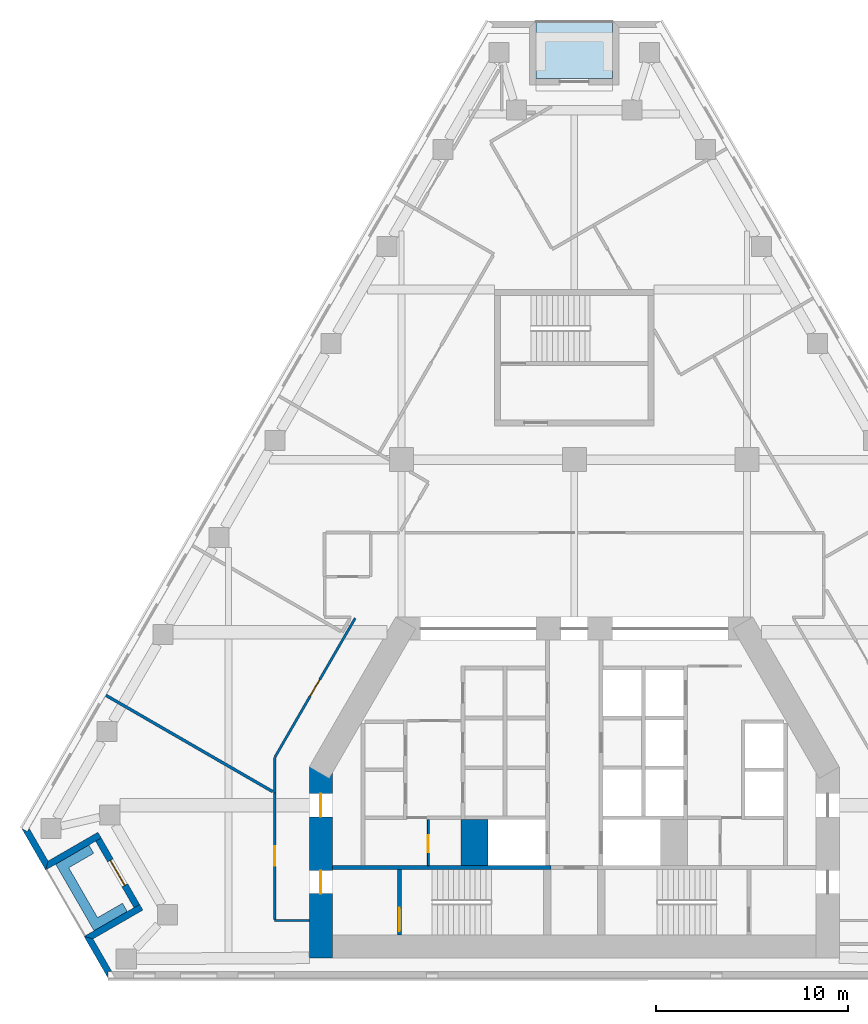
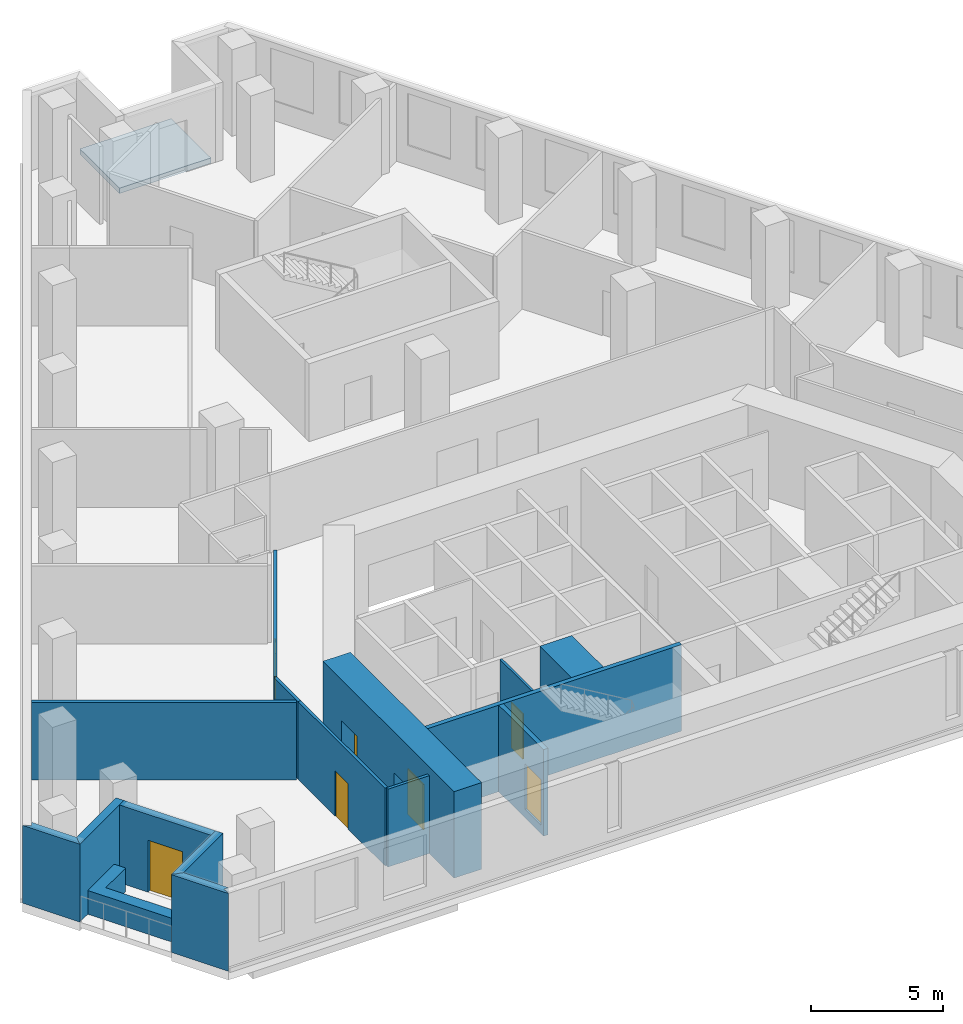
# One storey, part 2 of 8: 16 walls, 7 doors, 1 slab, 7 openings.
"""IFC4 building model written with IfcOpenShell, lengths in metres."""

from ifc_helpers import new_model, si_unit, direction, frame, frame_2d, origin, place, context, subcontext, project, spatial, polyline, rectangle, outline, extrude, material, layer, layer_set, type_object, element, fill, save


model = new_model("IFC4")

# Units and contexts
model_context = context("Model", 3, precision=1e-05, world=origin(), true_north=direction((0.0, 1.0)))
body_context = subcontext(model_context, "Body", "Model", "MODEL_VIEW")
ifc_project = project(units=[si_unit("LENGTHUNIT", "METRE"), si_unit("AREAUNIT", "SQUARE_METRE"), si_unit("VOLUMEUNIT", "CUBIC_METRE"), si_unit("PLANEANGLEUNIT", "RADIAN"), si_unit("MASSUNIT", "GRAM", prefix="KILO")], contexts=[model_context])

# Site, building, storey
site_placement = place(None, origin())
site = spatial("IfcSite", under=ifc_project, at=site_placement, CompositionType="ELEMENT")
building_placement = place(site_placement, origin())
building = spatial("IfcBuilding", under=site, at=building_placement, Name="Fogline Exchange Tower", CompositionType="ELEMENT")
storey_placement = place(building_placement, frame((0.0, 0.0, 162.89990234375)))
storey = spatial("IfcBuildingStorey", under=building, at=storey_placement, Name="L36", CompositionType="ELEMENT", Elevation=162.89990234375)

# Slab
ifc_material_1 = material(Name="Concrete C40", Category="concrete")
ifc_layer_1 = layer(ifc_material_1, 0.25)
ifc_layer_set_1 = layer_set([ifc_layer_1], Name="DK1")
slab_type = type_object("IfcSlabType", Name="DK1", PredefinedType="FLOOR", material=ifc_layer_set_1)
slab_placement = place(storey_placement, frame((0.0, 0.0, -0.25)))
element("IfcSlab", 1, at=slab_placement, inside=storey, type_object=slab_type, Name="Balcony L36 N", PredefinedType="FLOOR", context=body_context, shape_type="SweptSolid", body=[
    extrude(outline(polyline([(2.0, 49.841796875), (-2.0, 49.841796875), (-2.0, 46.841796875), (2.0, 46.841796875), (2.0, 49.841796875)])), origin(), (0.0, 0.0, 1.0), 0.25),
])

# Wall, opening, door
ifc_material_2 = material(Name="Blockwork partition", Category="masonry")
ifc_layer_2 = layer(ifc_material_2, 0.10009765625)
ifc_layer_set_2 = layer_set([ifc_layer_2], Name="CW10")
wall_type_1 = type_object("IfcWallType", Name="CW10", PredefinedType="PARTITIONING", material=ifc_layer_set_2)
wall_1_placement = place(storey_placement, frame((-7.60009765625, 5.85009765625, 0.0), z_axis=(0.0, 0.0, 1.0), x_axis=(0.0, 1.0, 0.0)))
wall_1 = element("IfcWall", 2, at=wall_1_placement, inside=storey, type_object=wall_type_1, Name="WC partition", PredefinedType="PARTITIONING", context=body_context, shape_type="SweptSolid", body=[
    extrude(rectangle(XDim=2.39990234375, YDim=0.10009765625, at=frame_2d((1.199951171875, 0.0))), origin(), (0.0, 0.0, 1.0), 3.60009765625),
])
opening_1_placement = place(wall_1_placement, frame((0.699951171875, 0.0, 0.0)))
opening_1 = element("IfcOpeningElement", 3, at=opening_1_placement, cuts=wall_1, Name="Opening T11-C013", PredefinedType="OPENING", context=body_context, shape_type="SweptSolid", body=[
    extrude(rectangle(XDim=0.89990234375, YDim=2.10009765625, at=frame_2d((0.449951171875, 1.050048828125))), frame((0.0, 0.06005859375, 0.0), z_axis=(0.0, -1.0, 0.0), x_axis=(1.0, 0.0, 0.0)), (0.0, 0.0, 1.0), 0.1201171875),
])
ifc_material_3 = material(Name="Steel and timber fire door", Category="steel")
door_type_1 = type_object("IfcDoorType", Name="D-CS1", OperationType="SINGLE_SWING_RIGHT", PredefinedType="DOOR", material=ifc_material_3)
door_1_placement = place(opening_1_placement, frame((0.89990234375, 0.0, 0.0), z_axis=(0.0, 0.0, 1.0), x_axis=(-1.0, 0.0, 0.0)))
door_1 = element("IfcDoor", 4, at=door_1_placement, inside=storey, type_object=door_type_1, Name="Door to Cleaner's Store", OperationType="SINGLE_SWING_RIGHT", OverallHeight=2.10009765625, OverallWidth=0.89990234375, PredefinedType="DOOR", context=body_context, shape_type="SweptSolid", body=[
    extrude(rectangle(XDim=0.89990234375, YDim=2.10009765625, at=frame_2d((0.449951171875, 1.050048828125))), frame((0.0, 0.02490234375, 0.0), z_axis=(0.0, -1.0, 0.0), x_axis=(1.0, 0.0, 0.0)), (0.0, 0.0, 1.0), 0.050048828125),
])
fill(opening_1, door_1)

# Walls
ifc_material_4 = material(Name="Concrete C60", Category="concrete")
ifc_layer_3 = layer(ifc_material_4, 1.39990234375)
ifc_layer_set_3 = layer_set([ifc_layer_3], Name="CW140")
wall_type_2 = type_object("IfcWallType", Name="CW140", PredefinedType="SOLIDWALL", material=ifc_layer_set_3)
wall_2_placement = place(storey_placement, frame((-5.199951171875, 5.85009765625, -0.39990234375), z_axis=(0.0, 0.0, 1.0), x_axis=(0.0, 1.0, 0.0)))
element("IfcWall", 5, at=wall_2_placement, inside=storey, type_object=wall_type_2, Name="Lift shaft block wall", PredefinedType="SOLIDWALL", context=body_context, shape_type="SweptSolid", body=[
    extrude(rectangle(XDim=2.39990234375, YDim=1.39990234375, at=frame_2d((1.199951171875, 0.0))), origin(), (0.0, 0.0, 1.0), 4.0),
])
ifc_layer_4 = layer(ifc_material_1, 0.199951171875)
ifc_layer_set_4 = layer_set([ifc_layer_4], Name="CW20R")
wall_type_3 = type_object("IfcWallType", Name="CW20R", PredefinedType="SOLIDWALL", material=ifc_layer_set_4)
wall_3_placement = place(storey_placement, frame((-12.60009765625, 5.75, -0.39990234375), z_axis=(0.0, 0.0, 1.0), x_axis=(1.0, 0.0, 0.0)))
element("IfcWall", 6, at=wall_3_placement, inside=storey, type_object=wall_type_3, Name="Stair enclosure wall", PredefinedType="SOLIDWALL", context=body_context, shape_type="SweptSolid", body=[
    extrude(rectangle(XDim=11.400146484375, YDim=0.199951171875, at=frame_2d((5.7001953125, 0.0))), origin(), (0.0, 0.0, 1.0), 4.0),
])

# Wall, opening, door
wall_4_placement = place(storey_placement, frame((-9.10009765625, 2.25, -0.39990234375), z_axis=(0.0, 0.0, 1.0), x_axis=(0.0, 1.0, 0.0)))
wall_4 = element("IfcWall", 7, at=wall_4_placement, inside=storey, type_object=wall_type_3, Name="Stair enclosure wall", PredefinedType="SOLIDWALL", context=body_context, shape_type="SweptSolid", body=[
    extrude(rectangle(XDim=3.39990234375, YDim=0.199951171875, at=frame_2d((1.699951171875, 0.0))), origin(), (0.0, 0.0, 1.0), 4.0),
])
opening_2_placement = place(wall_4_placement, frame((0.199951171875, 0.0, 0.39990234375)))
opening_2 = element("IfcOpeningElement", 8, at=opening_2_placement, cuts=wall_4, Name="Opening T11-C015", PredefinedType="OPENING", context=body_context, shape_type="SweptSolid", body=[
    extrude(rectangle(XDim=1.199951171875, YDim=2.10009765625, at=frame_2d((0.60009765625, 1.050048828125))), frame((0.0, 0.10986328125, 0.0), z_axis=(0.0, -1.0, 0.0), x_axis=(1.0, 0.0, 0.0)), (0.0, 0.0, 1.0), 0.219970703125),
])
door_type_2 = type_object("IfcDoorType", Name="D-ST1", OperationType="SINGLE_SWING_LEFT", PredefinedType="DOOR", material=ifc_material_3)
door_2_placement = place(opening_2_placement, frame((1.199951171875, 0.0, 0.0), z_axis=(0.0, 0.0, 1.0), x_axis=(-1.0, 0.0, 0.0)))
door_2 = element("IfcDoor", 9, at=door_2_placement, inside=storey, type_object=door_type_2, Name="Stair door ST1", OperationType="SINGLE_SWING_RIGHT", OverallHeight=2.10009765625, OverallWidth=1.199951171875, PredefinedType="DOOR", context=body_context, shape_type="SweptSolid", body=[
    extrude(rectangle(XDim=1.199951171875, YDim=2.10009765625, at=frame_2d((0.60009765625, 1.050048828125))), frame((0.0, 0.02490234375, 0.0), z_axis=(0.0, -1.0, 0.0), x_axis=(1.0, 0.0, 0.0)), (0.0, 0.0, 1.0), 0.050048828125),
])
fill(opening_2, door_2)

# Walls
ifc_material_5 = material(Name="Brick masonry", Category="masonry")
ifc_layer_5 = layer(ifc_material_5, 0.340087890625)
ifc_layer_set_5 = layer_set([ifc_layer_5], Name="FW1")
wall_type_4 = type_object("IfcWallType", Name="FW1", PredefinedType="SOLIDWALL", material=ifc_layer_set_5)
wall_5_placement = place(storey_placement, origin())
element("IfcWall", 10, at=wall_5_placement, inside=storey, type_object=wall_type_4, Name="Brick wall L36 SW-c1", PredefinedType="SOLIDWALL", context=body_context, shape_type="SweptSolid", body=[
    extrude(outline(polyline([(-27.526123046875, 5.6279296875), (-28.777099609375, 7.794921875), (-28.776611328125, 7.79541015625), (-28.48193359375, 7.625), (-28.383544921875, 7.79541015625), (-27.40087890625, 6.09375), (-27.52587890625, 5.6279296875), (-27.526123046875, 5.6279296875)])), origin(), (0.0, 0.0, 1.0), 3.60009765625),
])
wall_6_placement = place(storey_placement, origin())
element("IfcWall", 11, at=wall_6_placement, inside=storey, type_object=wall_type_4, Name="Brick wall L36 SW-s1", PredefinedType="SOLIDWALL", context=body_context, shape_type="SweptSolid", body=[
    extrude(outline(polyline([(-24.803466796875, 7.594482421875), (-24.6328125, 7.298828125), (-24.927734375, 7.128662109375), (-27.526611328125, 5.628173828125), (-27.52685546875, 5.62841796875), (-27.402099609375, 6.093994140625), (-24.803466796875, 7.594482421875)])), origin(), (0.0, 0.0, 1.0), 3.60009765625),
])

# Wall, opening, door
wall_7_placement = place(storey_placement, frame((-24.78076171875, 7.214111328125, 0.0), z_axis=(0.0, 0.0, 1.0), x_axis=(0.49999894854, -0.866026010844, 0.0)))
wall_7 = element("IfcWall", 12, at=wall_7_placement, inside=storey, type_object=wall_type_4, Name="Brick wall L36 SW-bk", PredefinedType="SOLIDWALL", context=body_context, shape_type="SweptSolid", body=[
    extrude(rectangle(XDim=4.0, YDim=0.340087890625, at=frame_2d((2.0, 0.0))), origin(), (0.0, 0.0, 1.0), 3.60009765625),
])
opening_3_placement = place(wall_7_placement, frame((1.25, 0.0, 0.0)))
opening_3 = element("IfcOpeningElement", 13, at=opening_3_placement, cuts=wall_7, Name="Opening T11-E021", PredefinedType="OPENING", context=body_context, shape_type="SweptSolid", body=[
    extrude(rectangle(XDim=1.5, YDim=2.39990234375, at=frame_2d((0.75, 1.199951171875))), frame((0.0, 0.18017578125, 0.0), z_axis=(0.0, -1.0, 0.0), x_axis=(1.0, 0.0, 0.0)), (0.0, 0.0, 1.0), 0.360107421875),
])
ifc_material_6 = material(Name="Aluminium and glass", Category="aluminium")
door_type_3 = type_object("IfcDoorType", Name="ED4", OperationType="SINGLE_SWING_LEFT", PredefinedType="DOOR", material=ifc_material_6)
door_3_placement = place(opening_3_placement, frame((1.5, 0.0, 0.0), z_axis=(0.0, 0.0, 1.0), x_axis=(-1.0, 0.0, 0.0)))
door_3 = element("IfcDoor", 14, at=door_3_placement, inside=storey, type_object=door_type_3, Name="Balcony door L36 SW", OperationType="DOUBLE_DOOR_SINGLE_SWING", OverallHeight=2.39990234375, OverallWidth=1.5, PredefinedType="DOOR", context=body_context, shape_type="SweptSolid", body=[
    extrude(rectangle(XDim=1.5, YDim=2.39990234375, at=frame_2d((0.75, 1.199951171875))), frame((0.0, 0.02490234375, 0.0), z_axis=(0.0, -1.0, 0.0), x_axis=(1.0, 0.0, 0.0)), (0.0, 0.0, 1.0), 0.050048828125),
])
fill(opening_3, door_3)

# Walls
wall_8_placement = place(storey_placement, origin())
element("IfcWall", 15, at=wall_8_placement, inside=storey, type_object=wall_type_4, Name="Brick wall L36 SW-s2", PredefinedType="SOLIDWALL", context=body_context, shape_type="SweptSolid", body=[
    extrude(outline(polyline([(-25.52734375, 2.1650390625), (-22.92822265625, 3.66552734375), (-22.63330078125, 3.8359375), (-22.462646484375, 3.540283203125), (-25.0615234375, 2.0400390625), (-25.52734375, 2.164794921875), (-25.52734375, 2.1650390625)])), origin(), (0.0, 0.0, 1.0), 3.60009765625),
])
wall_9_placement = place(storey_placement, origin())
element("IfcWall", 16, at=wall_9_placement, inside=storey, type_object=wall_type_4, Name="Brick wall L36 SW-c2", PredefinedType="SOLIDWALL", context=body_context, shape_type="SweptSolid", body=[
    extrude(outline(polyline([(-24.078857421875, 0.33935546875), (-24.275390625, 0.33935546875), (-24.275390625, -0.0009765625), (-24.276123046875, -0.001220703125), (-25.527099609375, 2.165771484375), (-25.52685546875, 2.166015625), (-25.061279296875, 2.041015625), (-24.078857421875, 0.33935546875)])), origin(), (0.0, 0.0, 1.0), 3.60009765625),
])
ifc_material_7 = material(Name="Concrete C30", Category="concrete")
ifc_layer_6 = layer(ifc_material_7, 0.199951171875)
ifc_layer_set_6 = layer_set([ifc_layer_6], Name="PL1")
wall_type_5 = type_object("IfcWallType", Name="PL1", PredefinedType="USERDEFINED", material=ifc_layer_set_6)
wall_10_placement = place(storey_placement, origin())
element("IfcWall", 17, at=wall_10_placement, inside=storey, type_object=wall_type_5, Name="PLANTER balcony L36 SW", ObjectType="PLANTER", PredefinedType="USERDEFINED", context=body_context, shape_type="SweptSolid", body=[
    extrude(outline(polyline([(-23.5244140625, 3.898193359375), (-24.823486328125, 3.148193359375), (-26.323486328125, 5.74609375), (-25.0244140625, 6.49609375), (-25.2744140625, 6.92919921875), (-27.006591796875, 5.92919921875), (-25.006591796875, 2.465087890625), (-24.573486328125, 2.715087890625), (-24.573486328125, 2.715087890625), (-23.2744140625, 3.465087890625), (-23.5244140625, 3.898193359375)])), origin(), (0.0, 0.0, 1.0), 1.10009765625),
])
ifc_material_8 = material(Name="Plasterboard corridor partition with mineral wool, 2 layers each side")
ifc_layer_7 = layer(ifc_material_8, 0.125)
ifc_layer_set_7 = layer_set([ifc_layer_7], Name="PW2")
wall_type_6 = type_object("IfcWallType", Name="PW2", PredefinedType="PARTITIONING", material=ifc_layer_set_7)
wall_11_placement = place(storey_placement, frame((-15.60009765625, 9.650390625, 0.0), z_axis=(0.0, 0.0, 1.0), x_axis=(0.0, 1.0, 0.0)))
element("IfcWall", 18, at=wall_11_placement, inside=storey, type_object=wall_type_6, Name="wall-L36-W015", PredefinedType="PARTITIONING", context=body_context, shape_type="SweptSolid", body=[
    extrude(rectangle(XDim=1.830810546875, YDim=0.125, at=frame_2d((0.91552734375, 0.0))), origin(), (0.0, 0.0, 1.0), 3.60009765625),
])

# Wall, opening, door
wall_12_placement = place(storey_placement, frame((-15.58447265625, 11.508056640625, 0.0), z_axis=(0.0, 0.0, 1.0), x_axis=(0.499989116703, 0.866031687168, 0.0)))
wall_12 = element("IfcWall", 19, at=wall_12_placement, inside=storey, type_object=wall_type_6, Name="wall-L36-W016", PredefinedType="PARTITIONING", context=body_context, shape_type="SweptSolid", body=[
    extrude(rectangle(XDim=8.347900390625, YDim=0.125, at=frame_2d((4.173828125, 0.0))), origin(), (0.0, 0.0, 1.0), 3.60009765625),
])
opening_4_placement = place(wall_12_placement, frame((3.673828125, 0.0, 0.0)))
opening_4 = element("IfcOpeningElement", 20, at=opening_4_placement, cuts=wall_12, Name="Opening T11-D005", PredefinedType="OPENING", context=body_context, shape_type="SweptSolid", body=[
    extrude(rectangle(XDim=1.0, YDim=2.10009765625, at=frame_2d((0.5, 1.050048828125))), frame((0.0, 0.072509765625, 0.0), z_axis=(0.0, -1.0, 0.0), x_axis=(1.0, 0.0, 0.0)), (0.0, 0.0, 1.0), 0.14501953125),
])
ifc_material_9 = material(Name="Fire-rated timber door leaf with steel frame", Category="steel")
door_type_4 = type_object("IfcDoorType", Name="D3", OperationType="SINGLE_SWING_LEFT", PredefinedType="DOOR", material=ifc_material_9)
door_4_placement = place(opening_4_placement, origin())
door_4 = element("IfcDoor", 21, at=door_4_placement, inside=storey, type_object=door_type_4, Name="door-L36-D005", OperationType="SINGLE_SWING_LEFT", OverallHeight=2.10009765625, OverallWidth=1.0, PredefinedType="DOOR", context=body_context, shape_type="SweptSolid", body=[
    extrude(rectangle(XDim=1.0, YDim=2.10009765625, at=frame_2d((0.5, 1.050048828125))), frame((0.0, 0.02490234375, 0.0), z_axis=(0.0, -1.0, 0.0), x_axis=(1.0, 0.0, 0.0)), (0.0, 0.0, 1.0), 0.050048828125),
])
fill(opening_4, door_4)

# Wall
wall_13_placement = place(storey_placement, frame((-13.800048828125, 3.0, 0.0), z_axis=(0.0, 0.0, 1.0), x_axis=(-1.0, 0.0, 0.0)))
element("IfcWall", 22, at=wall_13_placement, inside=storey, type_object=wall_type_6, Name="wall-L36-W017", PredefinedType="PARTITIONING", context=body_context, shape_type="SweptSolid", body=[
    extrude(rectangle(XDim=1.800048828125, YDim=0.125, at=frame_2d((0.89990234375, 0.0))), origin(), (0.0, 0.0, 1.0), 3.60009765625),
])

# Wall, opening, door
wall_14_placement = place(storey_placement, frame((-15.60009765625, 3.0625, 0.0), z_axis=(0.0, 0.0, 1.0), x_axis=(0.0, 1.0, 0.0)))
wall_14 = element("IfcWall", 23, at=wall_14_placement, inside=storey, type_object=wall_type_6, Name="wall-L36-W018", PredefinedType="PARTITIONING", context=body_context, shape_type="SweptSolid", body=[
    extrude(rectangle(XDim=6.587890625, YDim=0.125, at=frame_2d((3.2939453125, 0.0))), origin(), (0.0, 0.0, 1.0), 3.60009765625),
])
opening_5_placement = place(wall_14_placement, frame((2.7939453125, 0.0, 0.0)))
opening_5 = element("IfcOpeningElement", 24, at=opening_5_placement, cuts=wall_14, Name="Opening T11-D006", PredefinedType="OPENING", context=body_context, shape_type="SweptSolid", body=[
    extrude(rectangle(XDim=1.0, YDim=2.10009765625, at=frame_2d((0.5, 1.050048828125))), frame((0.0, 0.072509765625, 0.0), z_axis=(0.0, -1.0, 0.0), x_axis=(1.0, 0.0, 0.0)), (0.0, 0.0, 1.0), 0.14501953125),
])
door_5_placement = place(opening_5_placement, origin())
door_5 = element("IfcDoor", 25, at=door_5_placement, inside=storey, type_object=door_type_4, Name="door-L36-D006", OperationType="SINGLE_SWING_LEFT", OverallHeight=2.10009765625, OverallWidth=1.0, PredefinedType="DOOR", context=body_context, shape_type="SweptSolid", body=[
    extrude(rectangle(XDim=1.0, YDim=2.10009765625, at=frame_2d((0.5, 1.050048828125))), frame((0.0, 0.02490234375, 0.0), z_axis=(0.0, -1.0, 0.0), x_axis=(1.0, 0.0, 0.0)), (0.0, 0.0, 1.0), 0.050048828125),
])
fill(opening_5, door_5)

# Wall
ifc_material_10 = material(Name="Plasterboard demising partition with mineral wool and acoustic board")
ifc_layer_8 = layer(ifc_material_10, 0.14990234375)
ifc_layer_set_8 = layer_set([ifc_layer_8], Name="PW3")
wall_type_7 = type_object("IfcWallType", Name="PW3", PredefinedType="PARTITIONING", material=ifc_layer_set_8)
wall_15_placement = place(storey_placement, frame((-15.700439453125, 9.70849609375, 0.0), z_axis=(0.0, 0.0, 1.0), x_axis=(-0.866031909344, 0.499988731871, 0.0)))
element("IfcWall", 26, at=wall_15_placement, inside=storey, type_object=wall_type_7, Name="wall-L36-W049", PredefinedType="PARTITIONING", context=body_context, shape_type="SweptSolid", body=[
    extrude(rectangle(XDim=10.026611328125, YDim=0.14990234375, at=frame_2d((5.01318359375, 0.0))), origin(), (0.0, 0.0, 1.0), 3.60009765625),
])

# Wall, openings, doors
ifc_layer_9 = layer(ifc_material_4, 1.199951171875)
ifc_layer_set_9 = layer_set([ifc_layer_9], Name="SW02")
wall_type_8 = type_object("IfcWallType", Name="SW02", PredefinedType="SHEAR", material=ifc_layer_set_9)
wall_16_placement = place(storey_placement, frame((-13.199951171875, 10.9990234375, 0.0), z_axis=(0.0, 0.0, 1.0), x_axis=(0.0, -1.0, 0.0)))
wall_16 = element("IfcWall", 27, at=wall_16_placement, inside=storey, type_object=wall_type_8, Name="L36-W906", PredefinedType="SHEAR", context=body_context, shape_type="SweptSolid", body=[
    extrude(rectangle(XDim=9.948974609375, YDim=1.199951171875, at=frame_2d((4.974609375, 0.0))), origin(), (0.0, 0.0, 1.0), 4.0),
])
opening_6_placement = place(wall_16_placement, frame((5.39892578125, 0.0, 0.0)))
opening_6 = element("IfcOpeningElement", 28, at=opening_6_placement, cuts=wall_16, Name="Opening T11-C014", PredefinedType="OPENING", context=body_context, shape_type="SweptSolid", body=[
    extrude(rectangle(XDim=1.199951171875, YDim=2.10009765625, at=frame_2d((0.60009765625, 1.050048828125))), frame((0.0, 0.60986328125, 0.0), z_axis=(0.0, -1.0, 0.0), x_axis=(1.0, 0.0, 0.0)), (0.0, 0.0, 1.0), 1.219970703125),
])
opening_7_placement = place(wall_16_placement, frame((1.39892578125, 0.0, 0.0)))
opening_7 = element("IfcOpeningElement", 29, at=opening_7_placement, cuts=wall_16, Name="Opening T11-C016", PredefinedType="OPENING", context=body_context, shape_type="SweptSolid", body=[
    extrude(rectangle(XDim=1.199951171875, YDim=2.10009765625, at=frame_2d((0.60009765625, 1.050048828125))), frame((0.0, 0.60986328125, 0.0), z_axis=(0.0, -1.0, 0.0), x_axis=(1.0, 0.0, 0.0)), (0.0, 0.0, 1.0), 1.219970703125),
])
door_type_5 = type_object("IfcDoorType", Name="D-FR1", OperationType="SINGLE_SWING_RIGHT", PredefinedType="DOOR", material=ifc_material_3)
door_6_placement = place(opening_6_placement, origin())
door_6 = element("IfcDoor", 30, at=door_6_placement, inside=storey, type_object=door_type_5, Name="Front room door ST1", OperationType="SINGLE_SWING_LEFT", OverallHeight=2.10009765625, OverallWidth=1.199951171875, PredefinedType="DOOR", context=body_context, shape_type="SweptSolid", body=[
    extrude(rectangle(XDim=1.199951171875, YDim=2.10009765625, at=frame_2d((0.60009765625, 1.050048828125))), frame((0.0, 0.02490234375, 0.0), z_axis=(0.0, -1.0, 0.0), x_axis=(1.0, 0.0, 0.0)), (0.0, 0.0, 1.0), 0.050048828125),
])
fill(opening_6, door_6)
door_type_6 = type_object("IfcDoorType", Name="D-SV1", OperationType="SINGLE_SWING_LEFT", PredefinedType="DOOR", material=ifc_material_3)
door_7_placement = place(opening_7_placement, origin())
door_7 = element("IfcDoor", 31, at=door_7_placement, inside=storey, type_object=door_type_6, Name="Service door W", OperationType="SINGLE_SWING_LEFT", OverallHeight=2.10009765625, OverallWidth=1.199951171875, PredefinedType="DOOR", context=body_context, shape_type="SweptSolid", body=[
    extrude(rectangle(XDim=1.199951171875, YDim=2.10009765625, at=frame_2d((0.60009765625, 1.050048828125))), frame((0.0, 0.02490234375, 0.0), z_axis=(0.0, -1.0, 0.0), x_axis=(1.0, 0.0, 0.0)), (0.0, 0.0, 1.0), 0.050048828125),
])
fill(opening_7, door_7)

save(model, "model.ifc")
